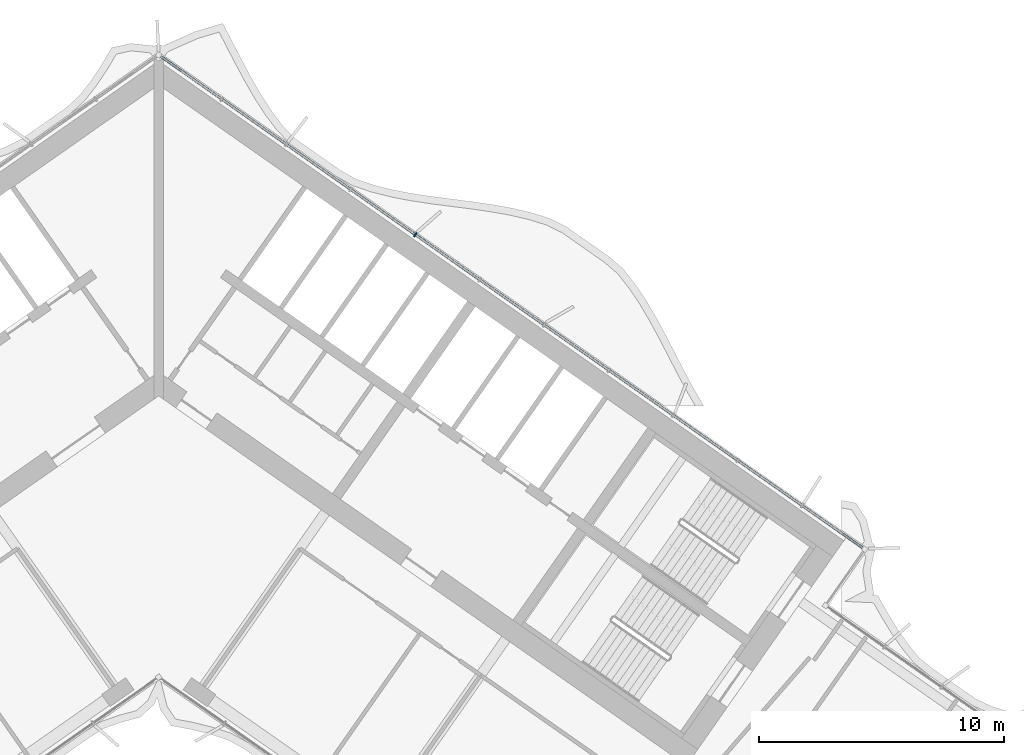
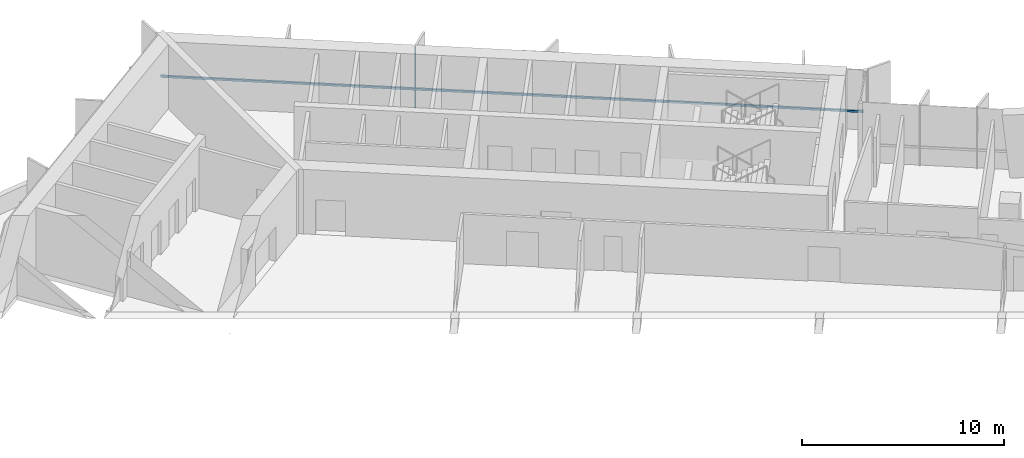
# One storey, part 10 of 23: 2 members, 1 element without a shape of its own.
"""IFC4 building model written with IfcOpenShell, lengths in metres."""

from ifc_helpers import new_model, si_unit, direction, frame, origin, origin_2d, place, context, subcontext, project, spatial, rectangle, extrude, material, material_profile, profile_set, type_object, element, aggregate, save


model = new_model("IFC4")

# Units and contexts
model_context = context("Model", 3, precision=1e-05, world=origin(), true_north=direction((0.0, 1.0)))
body_context = subcontext(model_context, "Body", "Model", "MODEL_VIEW")
ifc_project = project(units=[si_unit("LENGTHUNIT", "METRE"), si_unit("AREAUNIT", "SQUARE_METRE"), si_unit("VOLUMEUNIT", "CUBIC_METRE"), si_unit("PLANEANGLEUNIT", "RADIAN"), si_unit("MASSUNIT", "GRAM", prefix="KILO")], contexts=[model_context])

# Site, building, storey
site_placement = place(None, origin())
site = spatial("IfcSite", under=ifc_project, at=site_placement, CompositionType="ELEMENT")
building_placement = place(site_placement, origin())
building = spatial("IfcBuilding", under=site, at=building_placement, Name="Tel Ilan Convention Tower", CompositionType="ELEMENT")
storey_placement = place(building_placement, frame((0.0, 0.0, 186.60009765625)))
storey = spatial("IfcBuildingStorey", under=building, at=storey_placement, Name="L43", CompositionType="ELEMENT", Elevation=186.60009765625)

# Curtain wall, members
ifc_material_1 = material(Name="Aluminium, bronze anodised", Category="aluminium")
curtain_wall_type = type_object("IfcCurtainWallType", Name="CW2 STICK CURTAIN WALL, SPANDREL PANELS", PredefinedType="NOTDEFINED", material=ifc_material_1)
curtain_wall_placement = place(storey_placement, origin())
curtain_wall = element("IfcCurtainWall", 1, at=curtain_wall_placement, inside=storey, type_object=curtain_wall_type, Name="Curtain wall CW2-33.01", PredefinedType="NOTDEFINED")
ifc_material_2 = material(Name="Aluminium, bronze anodised", Category="aluminium")
ifc_material_profile_1 = material_profile(ifc_material_2, rectangle(XDim=0.06005859375, YDim=0.199951171875, at=origin_2d()), Name="CW MULLION 60x200")
ifc_profile_set_1 = profile_set([ifc_material_profile_1], Name="Aluminium, bronze anodised")
member_type_1 = type_object("IfcMemberType", Name="CW MULLION 60x200", PredefinedType="MULLION", material=ifc_profile_set_1)
member_1_placement = place(storey_placement, frame((10.47314453125, 5.36279296875, 0.0), z_axis=(0.0, 0.0, 1.0), x_axis=(-0.819152044289, 0.573576436351, 0.0)))
member_1 = element("IfcMember", 2, at=member_1_placement, type_object=member_type_1, Name="Mullion", PredefinedType="MULLION", context=body_context, shape_type="SweptSolid", body=[
    extrude(rectangle(XDim=0.06005859375, YDim=0.199951171875, at=origin_2d()), origin(), (0.0, 0.0, 1.0), 3.619873046875),
])
ifc_material_3 = material(Name="Aluminium, bronze anodised", Category="aluminium")
ifc_material_profile_2 = material_profile(ifc_material_3, rectangle(XDim=0.10009765625, YDim=0.1201171875, at=origin_2d()), Name="CW TRANSOM 100x120")
ifc_profile_set_2 = profile_set([ifc_material_profile_2], Name="Aluminium, bronze anodised")
member_type_2 = type_object("IfcMemberType", Name="CW TRANSOM 100x120", PredefinedType="USERDEFINED", material=ifc_profile_set_2)
member_2_placement = place(storey_placement, frame((28.737548828125, -7.42626953125, 1.099853515625), z_axis=(-0.819150201937, 0.573579067494, 0.0), x_axis=(-0.573579067494, -0.819150201937, 0.0)))
member_2 = element("IfcMember", 3, at=member_2_placement, type_object=member_type_2, Name="Transom", ObjectType="TRANSOM", PredefinedType="USERDEFINED", context=body_context, shape_type="SweptSolid", body=[
    extrude(rectangle(XDim=0.10009765625, YDim=0.1201171875, at=origin_2d()), origin(), (0.0, 0.0, 1.0), 34.9521484375),
])
aggregate(curtain_wall, [member_1, member_2])

save(model, "model.ifc")
